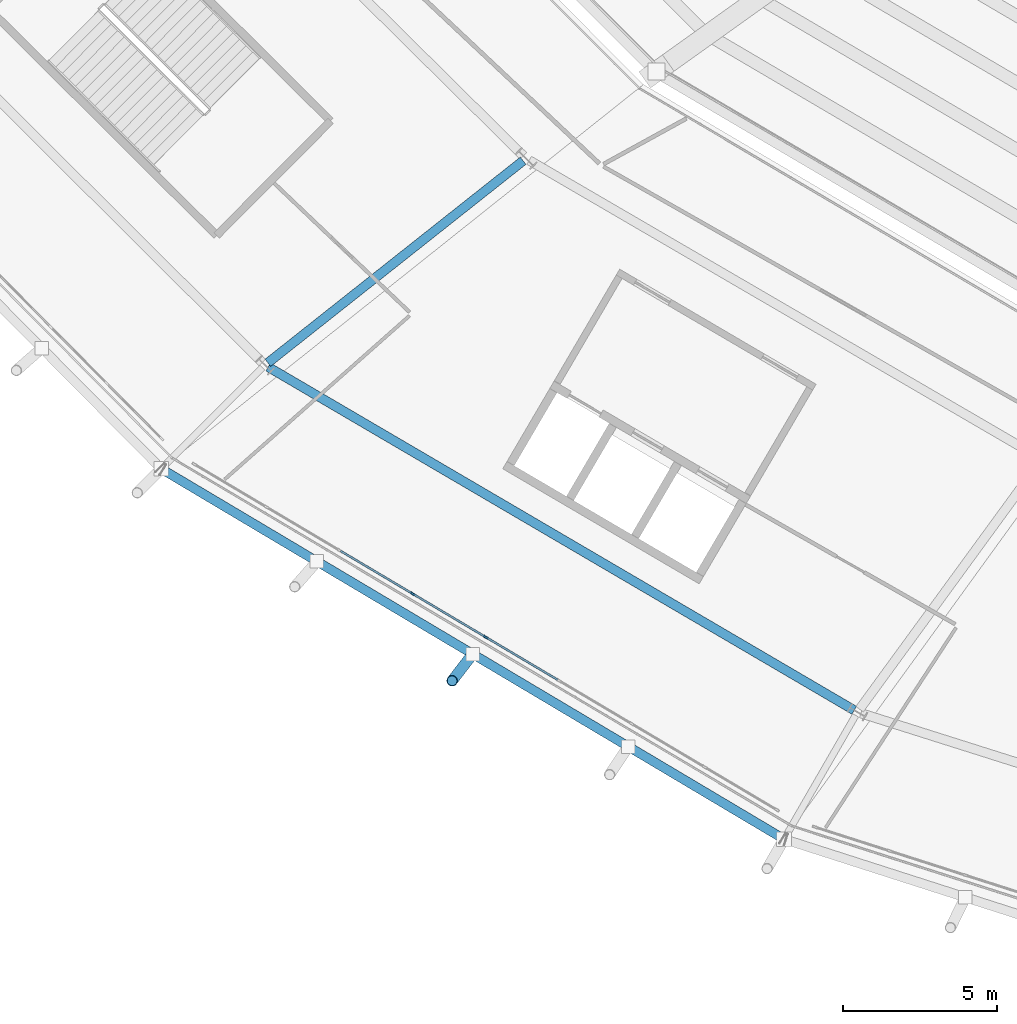
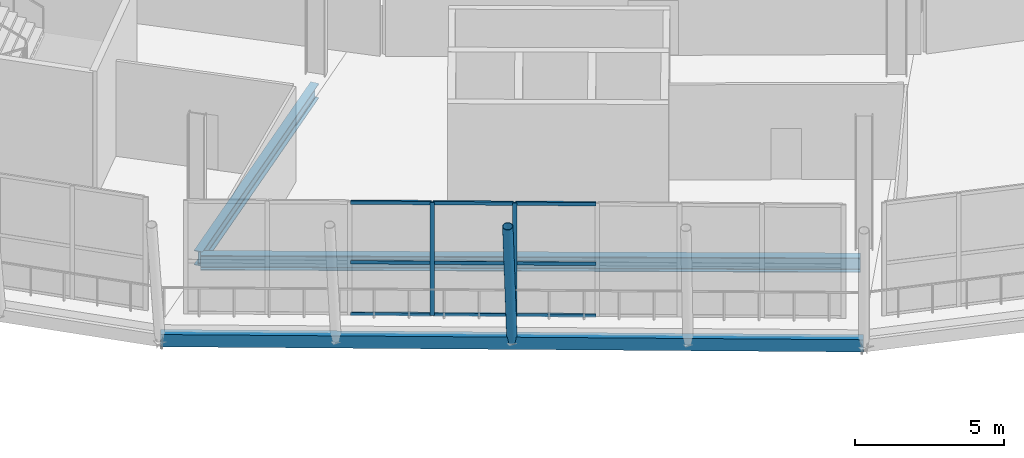
# One storey, part 14 of 126: 12 members, 3 beams, 1 element without a shape of its own.
"""IFC4 building model written with IfcOpenShell, lengths in metres."""

import ifcopenshell
import ifcopenshell.guid

model = None  # the IFC model being written
_history = None  # IfcOwnerHistory: only IFC2X3 demands one
_inside = {}  # id of a spatial element -> (the spatial element, [elements in it])
_under = {}  # id of a project, library or spatial element -> (it, [spatial elements below it])
_declared = {}  # id of a project -> (the project, [libraries it declares])
_typed = {}  # id of a type object -> (the type object, [elements of that type])
_made_of = {}  # id of a material, layer set ... -> (it, [elements and type objects made of it])


def new_model(schema):
    """Start an empty IFC model of exactly this schema.

    Asked for "IFC4X3", IfcOpenShell would pick the latest addendum, in which some entities
    have other attributes; the version numbers below select the first issue.
    IFC2X3 requires an IfcOwnerHistory on every rooted entity: one is made here for all.
    """
    global model, _history
    if schema == "IFC4X3":
        model = ifcopenshell.file(schema_version=(4, 3, 0, 0))
    else:
        model = ifcopenshell.file(schema=schema)
    _inside.clear()
    _under.clear()
    _declared.clear()
    _typed.clear()
    _made_of.clear()
    _history = None
    if model.schema == "IFC2X3":
        org = make("IfcOrganization", Name="unknown")
        user = make(
            "IfcPersonAndOrganization",
            ThePerson=make("IfcPerson", FamilyName="unknown"),
            TheOrganization=org,
        )
        app = make(
            "IfcApplication",
            ApplicationDeveloper=org,
            Version="unknown",
            ApplicationFullName="unknown",
            ApplicationIdentifier="unknown",
        )
        _history = make(
            "IfcOwnerHistory",
            OwningUser=user,
            OwningApplication=app,
            ChangeAction="ADDED",
            CreationDate=0,
        )
    return model


def make(cls, **values):
    """One entity of the class cls with the attributes given. An attribute that is None is left unset."""
    return model.create_entity(
        cls, **{name: value for name, value in values.items() if value is not None}
    )


def rooted(cls, **values):
    """An entity with a GlobalId (a new one), such as an element, a storey or a relation."""
    return make(cls, GlobalId=ifcopenshell.guid.new(), OwnerHistory=_history, **values)


def si_unit(unit_type, name, prefix=None):
    """IfcSIUnit, for example si_unit("LENGTHUNIT", "METRE", prefix="MILLI")."""
    return make("IfcSIUnit", UnitType=unit_type, Prefix=prefix, Name=name)


def assignment(units):
    """IfcUnitAssignment: the units of a project."""
    return None if units is None else make("IfcUnitAssignment", Units=units)


def point(xyz):
    """IfcCartesianPoint."""
    return None if xyz is None else make("IfcCartesianPoint", Coordinates=xyz)


def direction(xyz):
    """IfcDirection."""
    return None if xyz is None else make("IfcDirection", DirectionRatios=xyz)


def frame(location, z_axis=None, x_axis=None):
    """IfcAxis2Placement3D, a coordinate frame: its origin and axes. An axis left out is left unset."""
    return make(
        "IfcAxis2Placement3D",
        Location=point(location),
        Axis=direction(z_axis),
        RefDirection=direction(x_axis),
    )


def frame_2d(location, x_axis=None):
    """IfcAxis2Placement2D, a coordinate frame in the plane: its origin and x axis."""
    return make(
        "IfcAxis2Placement2D", Location=point(location), RefDirection=direction(x_axis)
    )


def origin():
    """The frame at (0, 0, 0) with its axes left unset."""
    return frame((0.0, 0.0, 0.0))


def origin_2d():
    """The frame at (0, 0) in the plane with its x axis left unset."""
    return frame_2d((0.0, 0.0))


def place(relative_to, where):
    """IfcLocalPlacement: puts the frame where relative to a parent placement (None: the world)."""
    return make(
        "IfcLocalPlacement", PlacementRelTo=relative_to, RelativePlacement=where
    )


def context(
    kind, dimensions, precision=None, world=None, true_north=None, identifier=None
):
    """IfcGeometricRepresentationContext, for example the 3D "Model" context."""
    return make(
        "IfcGeometricRepresentationContext",
        ContextIdentifier=identifier,
        ContextType=kind,
        CoordinateSpaceDimension=dimensions,
        Precision=precision,
        WorldCoordinateSystem=world,
        TrueNorth=true_north,
    )


def subcontext(parent, identifier, kind, view, scale=None):
    """IfcGeometricRepresentationSubContext, for example "Body" below "Model"."""
    return make(
        "IfcGeometricRepresentationSubContext",
        ContextIdentifier=identifier,
        ContextType=kind,
        ParentContext=parent,
        TargetScale=scale,
        TargetView=view,
    )


def project(units=None, contexts=None):
    """IfcProject with its units and contexts."""
    return rooted(
        "IfcProject",
        Name="project",
        RepresentationContexts=contexts,
        UnitsInContext=assignment(units),
    )


def spatial(cls, under=None, at=None, **own):
    """A site, building, storey or space (cls), placed at a placement, below another one or the project."""
    s = rooted(cls, ObjectPlacement=at, **own)
    if under is not None:
        _under.setdefault(under.id(), (under, []))[1].append(s)
    return s


def profile(cls, at=None, kind="AREA", **sizes):
    """A parametric profile (cls). Its sizes go by their IFC names, for example OverallWidth=200.0."""
    return make(cls, ProfileType=kind, Position=at, **sizes)


def rectangle(**sizes):
    """IfcRectangleProfileDef."""
    return profile("IfcRectangleProfileDef", **sizes)


def hollow_rectangle(**sizes):
    """IfcRectangleHollowProfileDef."""
    return profile("IfcRectangleHollowProfileDef", **sizes)


def hollow_circle(**sizes):
    """IfcCircleHollowProfileDef."""
    return profile("IfcCircleHollowProfileDef", **sizes)


def i_section(**sizes):
    """IfcIShapeProfileDef."""
    return profile("IfcIShapeProfileDef", **sizes)


def extrude(swept, where, along, depth):
    """IfcExtrudedAreaSolid: the profile swept, set in the frame where, extruded along a direction by depth."""
    return make(
        "IfcExtrudedAreaSolid",
        SweptArea=swept,
        Position=where,
        ExtrudedDirection=direction(along),
        Depth=depth,
    )


def shape(context_of_items, identifier, shape_type, items):
    """IfcShapeRepresentation: the items that make up one representation, for example the "Body"."""
    return make(
        "IfcShapeRepresentation",
        ContextOfItems=context_of_items,
        RepresentationIdentifier=identifier,
        RepresentationType=shape_type,
        Items=items,
    )


def material(Name=None, Category=None):
    """IfcMaterial."""
    return make("IfcMaterial", Name=Name, Category=Category)


def material_profile(
    of_material, cross_section, Name=None, Category=None, Priority=None
):
    """IfcMaterialProfile: a cross section and its material."""
    return make(
        "IfcMaterialProfile",
        Name=Name,
        Material=of_material,
        Profile=cross_section,
        Priority=Priority,
        Category=Category,
    )


def profile_set(profiles, Name=None, composite=None):
    """IfcMaterialProfileSet."""
    return make(
        "IfcMaterialProfileSet",
        Name=Name,
        MaterialProfiles=profiles,
        CompositeProfile=composite,
    )


def made_of(thing, what):
    """Note that an element or type object is made of a material, layer set ...; save() writes the relation."""
    if what is not None:
        _made_of.setdefault(what.id(), (what, []))[1].append(thing)
    return thing


def type_object(cls, material=None, **own):
    """A type object (cls), such as IfcWallType, which elements share."""
    return made_of(rooted(cls, **own), material)


def element(
    cls,
    number,
    at=None,
    inside=None,
    cuts=None,
    type_object=None,
    material=None,
    context=None,
    identifier="Body",
    shape_type=None,
    held_by="IfcProductDefinitionShape",
    body=None,
    shapes=None,
    **own,
):
    """One element of the class cls, such as IfcWall. Its Tag is "e" and its number.

    at: its placement. inside: the storey or other place that contains it. cuts: it is an
    opening in that element (IfcRelVoidsElement). A single representation is given by context,
    identifier, shape_type and body (its items); several are given by shapes. held_by: the class
    of the entity that holds the representations. save() writes the other relations.
    """
    e = rooted(cls, Tag="e%d" % number, ObjectPlacement=at, **own)
    if body is not None:
        shapes = [shape(context, identifier, shape_type, body)]
    if shapes is not None:
        e.Representation = make(held_by, Representations=shapes)
    if inside is not None:
        _inside.setdefault(inside.id(), (inside, []))[1].append(e)
    if cuts is not None:
        rooted(
            "IfcRelVoidsElement", RelatingBuildingElement=cuts, RelatedOpeningElement=e
        )
    if type_object is not None:
        _typed.setdefault(type_object.id(), (type_object, []))[1].append(e)
    return made_of(e, material)


def aggregate(whole, parts):
    """IfcRelAggregates: a whole, such as a stair, and the parts it consists of."""
    return rooted("IfcRelAggregates", RelatingObject=whole, RelatedObjects=parts)


def save(model, path):
    """Write the relations noted so far, then the file.

    IfcRelAggregates (storeys below a building ...), IfcRelContainedInSpatialStructure (elements
    in a storey), IfcRelDefinesByType, IfcRelAssociatesMaterial and IfcRelDeclares: one each for
    every whole, place, type object, material and project.
    """
    for whole, parts in _under.values():
        aggregate(whole, parts)
    for where, things in _inside.values():
        rooted(
            "IfcRelContainedInSpatialStructure",
            RelatedElements=things,
            RelatingStructure=where,
        )
    for kind, things in _typed.values():
        rooted("IfcRelDefinesByType", RelatedObjects=things, RelatingType=kind)
    for what, things in _made_of.values():
        rooted("IfcRelAssociatesMaterial", RelatedObjects=things, RelatingMaterial=what)
    for by, libraries in _declared.values():
        rooted("IfcRelDeclares", RelatingContext=by, RelatedDefinitions=libraries)
    model.write(path)


model = new_model("IFC4")

# Units and contexts
model_context = context("Model", 3, precision=1e-05, world=origin(), true_north=direction((0.0, 1.0)))
body_context = subcontext(model_context, "Body", "Model", "MODEL_VIEW")
ifc_project = project(units=[si_unit("LENGTHUNIT", "METRE"), si_unit("AREAUNIT", "SQUARE_METRE"), si_unit("VOLUMEUNIT", "CUBIC_METRE"), si_unit("PLANEANGLEUNIT", "RADIAN"), si_unit("MASSUNIT", "GRAM", prefix="KILO")], contexts=[model_context])

# Site, building, storey
site_placement = place(None, origin())
site = spatial("IfcSite", under=ifc_project, at=site_placement, CompositionType="ELEMENT")
building_placement = place(site_placement, origin())
building = spatial("IfcBuilding", under=site, at=building_placement, Name="Zlatoyarsky Gate Stadium", CompositionType="ELEMENT")
storey_placement = place(building_placement, frame((0.0, 0.0, 20.800048828125)))
storey = spatial("IfcBuildingStorey", under=building, at=storey_placement, Name="L04", CompositionType="ELEMENT", Elevation=20.800048828125)

# Curtain wall, members
ifc_material_1 = material(Name="Thermally broken anodised aluminium curtain wall", Category="aluminium")
curtain_wall_type = type_object("IfcCurtainWallType", Name="UNITISED MEDIA RING GLAZING L04", PredefinedType="USERDEFINED", material=ifc_material_1)
curtain_wall_placement = place(storey_placement, origin())
curtain_wall = element("IfcCurtainWall", 1, at=curtain_wall_placement, inside=storey, type_object=curtain_wall_type, Name="Curtain wall CW-L04-15", ObjectType="UNITISED GLAZING", PredefinedType="USERDEFINED")
ifc_material_2 = material(Name="Anodised aluminium 6063-T6", Category="aluminium")
ifc_material_profile_1 = material_profile(ifc_material_2, rectangle(XDim=0.06494140625, YDim=0.159912109375, at=origin_2d()), Name="ALU 65X160")
ifc_profile_set_1 = profile_set([ifc_material_profile_1], Name="Anodised aluminium 6063-T6")
member_type_1 = type_object("IfcMemberType", Name="ALUMINIUM MULLION 65X160", PredefinedType="MULLION", material=ifc_profile_set_1)
member_1_placement = place(storey_placement, frame((50.0400390625, 22.361083984375, 0.0), z_axis=(0.0, 0.0, 1.0), x_axis=(0.510330476285, 0.859978374713, 0.0)))
member_1 = element("IfcMember", 2, at=member_1_placement, type_object=member_type_1, Name="CW-UG4 mullion 4", PredefinedType="MULLION", context=body_context, shape_type="SweptSolid", body=[
    extrude(rectangle(XDim=0.06494140625, YDim=0.159912109375, at=origin_2d()), origin(), (0.0, 0.0, 1.0), 4.619873046875),
])
member_2_placement = place(storey_placement, frame((52.413330078125, 20.952880859375, 0.0), z_axis=(0.0, 0.0, 1.0), x_axis=(0.510330476285, 0.859978374713, 0.0)))
member_2 = element("IfcMember", 3, at=member_2_placement, type_object=member_type_1, Name="CW-UG4 mullion 5", PredefinedType="MULLION", context=body_context, shape_type="SweptSolid", body=[
    extrude(rectangle(XDim=0.06494140625, YDim=0.159912109375, at=origin_2d()), origin(), (0.0, 0.0, 1.0), 4.619873046875),
])
ifc_material_profile_2 = material_profile(ifc_material_2, rectangle(XDim=0.06494140625, YDim=0.139892578125, at=origin_2d()), Name="ALU 65X140")
ifc_profile_set_2 = profile_set([ifc_material_profile_2], Name="Anodised aluminium 6063-T6")
member_type_2 = type_object("IfcMemberType", Name="ALUMINIUM TRANSOM 65X140", PredefinedType="USERDEFINED", material=ifc_profile_set_2)
member_3_placement = place(storey_placement, frame((47.69482421875, 23.7529296875, 0.032470703125), z_axis=(0.859969067163, -0.510346160486, 0.0), x_axis=(0.510346160486, 0.859969067163, 0.0)))
member_3 = element("IfcMember", 4, at=member_3_placement, type_object=member_type_2, Name="CW-UG4 transom 3.1", ObjectType="TRANSOM", PredefinedType="USERDEFINED", context=body_context, shape_type="SweptSolid", body=[
    extrude(rectangle(XDim=0.06494140625, YDim=0.139892578125, at=origin_2d()), origin(), (0.0, 0.0, 1.0), 2.69482421875),
])
member_4_placement = place(storey_placement, frame((47.69482421875, 23.7529296875, 2.14990234375), z_axis=(0.859969067163, -0.510346160486, 0.0), x_axis=(0.510346160486, 0.859969067163, 0.0)))
member_4 = element("IfcMember", 5, at=member_4_placement, type_object=member_type_2, Name="CW-UG4 transom 3.2", ObjectType="TRANSOM", PredefinedType="USERDEFINED", context=body_context, shape_type="SweptSolid", body=[
    extrude(rectangle(XDim=0.06494140625, YDim=0.139892578125, at=origin_2d()), origin(), (0.0, 0.0, 1.0), 2.69482421875),
])
member_5_placement = place(storey_placement, frame((47.69482421875, 23.7529296875, 4.58740234375), z_axis=(0.859969067163, -0.510346160486, 0.0), x_axis=(0.510346160486, 0.859969067163, 0.0)))
member_5 = element("IfcMember", 6, at=member_5_placement, type_object=member_type_2, Name="CW-UG4 transom 3.3", ObjectType="TRANSOM", PredefinedType="USERDEFINED", context=body_context, shape_type="SweptSolid", body=[
    extrude(rectangle(XDim=0.06494140625, YDim=0.139892578125, at=origin_2d()), origin(), (0.0, 0.0, 1.0), 2.69482421875),
])
member_6_placement = place(storey_placement, frame((50.068115234375, 22.344482421875, 0.032470703125), z_axis=(0.859985234265, -0.510318916803, 0.0), x_axis=(0.510318916803, 0.859985234265, 0.0)))
member_6 = element("IfcMember", 7, at=member_6_placement, type_object=member_type_2, Name="CW-UG4 transom 4.1", ObjectType="TRANSOM", PredefinedType="USERDEFINED", context=body_context, shape_type="SweptSolid", body=[
    extrude(rectangle(XDim=0.06494140625, YDim=0.139892578125, at=origin_2d()), origin(), (0.0, 0.0, 1.0), 2.6943359375),
])
member_7_placement = place(storey_placement, frame((50.068115234375, 22.344482421875, 2.14990234375), z_axis=(0.859985234265, -0.510318916803, 0.0), x_axis=(0.510318916803, 0.859985234265, 0.0)))
member_7 = element("IfcMember", 8, at=member_7_placement, type_object=member_type_2, Name="CW-UG4 transom 4.2", ObjectType="TRANSOM", PredefinedType="USERDEFINED", context=body_context, shape_type="SweptSolid", body=[
    extrude(rectangle(XDim=0.06494140625, YDim=0.139892578125, at=origin_2d()), origin(), (0.0, 0.0, 1.0), 2.6943359375),
])
member_8_placement = place(storey_placement, frame((50.068115234375, 22.344482421875, 4.58740234375), z_axis=(0.859985234265, -0.510318916803, 0.0), x_axis=(0.510318916803, 0.859985234265, 0.0)))
member_8 = element("IfcMember", 9, at=member_8_placement, type_object=member_type_2, Name="CW-UG4 transom 4.3", ObjectType="TRANSOM", PredefinedType="USERDEFINED", context=body_context, shape_type="SweptSolid", body=[
    extrude(rectangle(XDim=0.06494140625, YDim=0.139892578125, at=origin_2d()), origin(), (0.0, 0.0, 1.0), 2.6943359375),
])
member_9_placement = place(storey_placement, frame((52.441162109375, 20.936279296875, 0.032470703125), z_axis=(0.859969067163, -0.510346160486, 0.0), x_axis=(0.510346160486, 0.859969067163, 0.0)))
member_9 = element("IfcMember", 10, at=member_9_placement, type_object=member_type_2, Name="CW-UG4 transom 5.1", ObjectType="TRANSOM", PredefinedType="USERDEFINED", context=body_context, shape_type="SweptSolid", body=[
    extrude(rectangle(XDim=0.06494140625, YDim=0.139892578125, at=origin_2d()), origin(), (0.0, 0.0, 1.0), 2.69482421875),
])
member_10_placement = place(storey_placement, frame((52.441162109375, 20.936279296875, 2.14990234375), z_axis=(0.859969067163, -0.510346160486, 0.0), x_axis=(0.510346160486, 0.859969067163, 0.0)))
member_10 = element("IfcMember", 11, at=member_10_placement, type_object=member_type_2, Name="CW-UG4 transom 5.2", ObjectType="TRANSOM", PredefinedType="USERDEFINED", context=body_context, shape_type="SweptSolid", body=[
    extrude(rectangle(XDim=0.06494140625, YDim=0.139892578125, at=origin_2d()), origin(), (0.0, 0.0, 1.0), 2.69482421875),
])
member_11_placement = place(storey_placement, frame((52.441162109375, 20.936279296875, 4.58740234375), z_axis=(0.859969067163, -0.510346160486, 0.0), x_axis=(0.510346160486, 0.859969067163, 0.0)))
member_11 = element("IfcMember", 12, at=member_11_placement, type_object=member_type_2, Name="CW-UG4 transom 5.3", ObjectType="TRANSOM", PredefinedType="USERDEFINED", context=body_context, shape_type="SweptSolid", body=[
    extrude(rectangle(XDim=0.06494140625, YDim=0.139892578125, at=origin_2d()), origin(), (0.0, 0.0, 1.0), 2.69482421875),
])
aggregate(curtain_wall, [member_1, member_2, member_3, member_4, member_5, member_6, member_7, member_8, member_9, member_10, member_11])

# Member
ifc_material_3 = material(Name="Steel S355", Category="steel")
ifc_material_profile_3 = material_profile(ifc_material_3, hollow_circle(Radius=0.177734375, WallThickness=0.02001953125, at=origin_2d()), Name="CHS 355.6X20")
ifc_profile_set_3 = profile_set([ifc_material_profile_3], Name="Steel S355")
member_type_3 = type_object("IfcMemberType", Name="STEEL LEANING RIB RING STRUT CHS 355.6X20", PredefinedType="STRUT", material=ifc_profile_set_3)
member_12_placement = place(storey_placement, frame((51.990966796875, 20.402099609375, -0.550048828125), z_axis=(-0.120577890319, -0.157089984067, 0.980195750487), x_axis=(0.793259421474, -0.608883806849, 0.0)))
element("IfcMember", 13, at=member_12_placement, inside=storey, type_object=member_type_3, Name="Outward-leaning bowl louvre fin rib L04 15-2", PredefinedType="STRUT", context=body_context, shape_type="SweptSolid", body=[
    extrude(hollow_circle(Radius=0.177734375, WallThickness=0.02001953125, at=origin_2d()), origin(), (0.0, 0.0, 1.0), 5.5498046875),
])

# Beams
ifc_material_profile_4 = material_profile(ifc_material_3, hollow_rectangle(XDim=0.300048828125, YDim=0.5, WallThickness=0.02001953125, at=origin_2d()), Name="RHS 500X300X20")
ifc_profile_set_4 = profile_set([ifc_material_profile_4], Name="Steel S355")
beam_type_1 = type_object("IfcBeamType", Name="STEEL LOUVRE CARRIER SPANDREL RHS 500X300X20", PredefinedType="SPANDREL", material=ifc_profile_set_4)
beam_1_placement = place(storey_placement, frame((41.8837890625, 26.41259765625, -0.550048828125), z_axis=(0.859506923216, -0.51112410327, 0.0), x_axis=(0.51112410327, 0.859506923216, 0.0)))
element("IfcBeam", 14, at=beam_1_placement, inside=storey, type_object=beam_type_1, Name="Beam SP-RHS500 BM-L04-SPD-15", PredefinedType="SPANDREL", context=body_context, shape_type="SweptSolid", body=[
    extrude(hollow_rectangle(XDim=0.300048828125, YDim=0.5, WallThickness=0.02001953125, at=origin_2d()), origin(), (0.0, 0.0, 1.0), 23.518310546875),
])
ifc_material_profile_5 = material_profile(ifc_material_3, i_section(OverallWidth=0.300048828125, OverallDepth=0.60009765625, WebThickness=0.015380859375, FlangeThickness=0.030029296875, FilletRadius=0.027099609375, at=origin_2d()), Name="HEB 600")
ifc_profile_set_5 = profile_set([ifc_material_profile_5], Name="Steel S355")
beam_type_2 = type_object("IfcBeamType", Name="STEEL PRIMARY GIRDER HEB 600", PredefinedType="BEAM", material=ifc_profile_set_5)
beam_2_placement = place(storey_placement, frame((53.63037109375, 36.4384765625, -0.60009765625), z_axis=(-0.78404348542, -0.620705898933, 0.0), x_axis=(0.620705898933, -0.78404348542, 0.0)))
element("IfcBeam", 15, at=beam_2_placement, inside=storey, type_object=beam_type_2, Name="Beam G-HEB600 BM-L04-RBC-15", PredefinedType="BEAM", context=body_context, shape_type="SweptSolid", body=[
    extrude(i_section(OverallWidth=0.300048828125, OverallDepth=0.60009765625, WebThickness=0.015380859375, FlangeThickness=0.030029296875, FilletRadius=0.027099609375, at=origin_2d()), origin(), (0.0, 0.0, 1.0), 10.58251953125),
])
beam_3_placement = place(storey_placement, frame((45.342529296875, 29.734619140625, -0.60009765625), z_axis=(0.862854775092, -0.505451913738, 0.0), x_axis=(0.505451913738, 0.862854775092, 0.0)))
element("IfcBeam", 16, at=beam_3_placement, inside=storey, type_object=beam_type_2, Name="Beam G-HEB600 BM-L04-CRC-15", PredefinedType="BEAM", context=body_context, shape_type="SweptSolid", body=[
    extrude(i_section(OverallWidth=0.300048828125, OverallDepth=0.60009765625, WebThickness=0.015380859375, FlangeThickness=0.030029296875, FilletRadius=0.027099609375, at=origin_2d()), origin(), (0.0, 0.0, 1.0), 22.08251953125),
])

save(model, "model.ifc")
